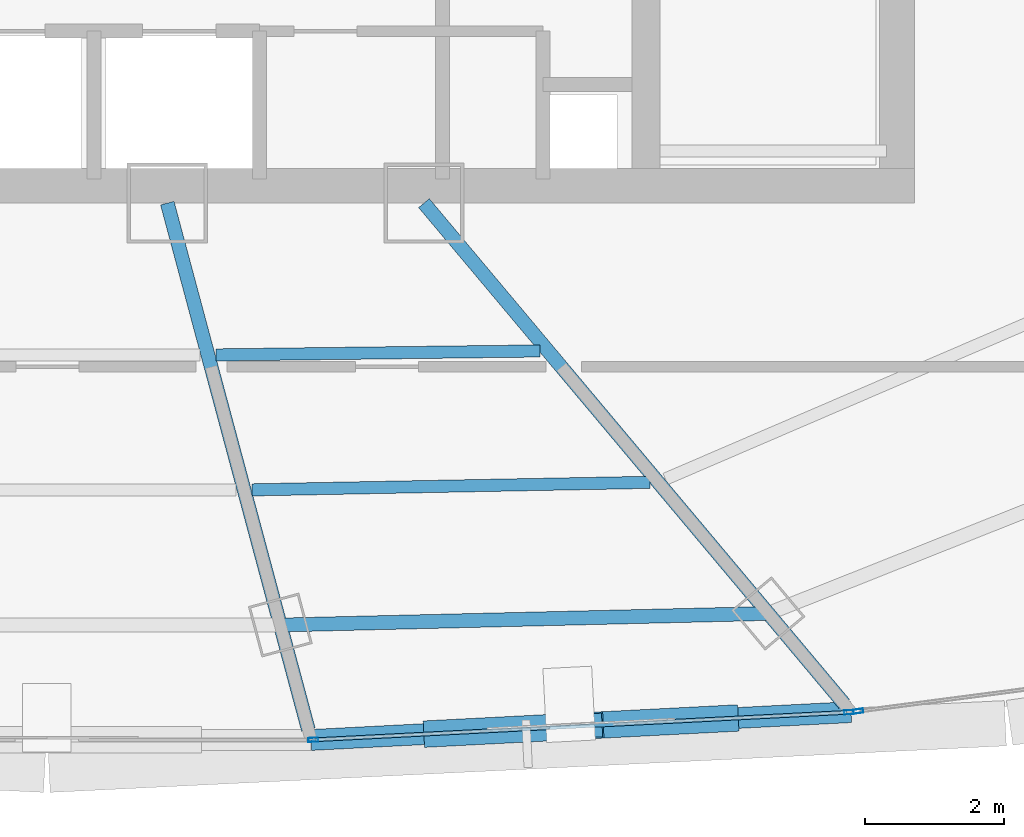
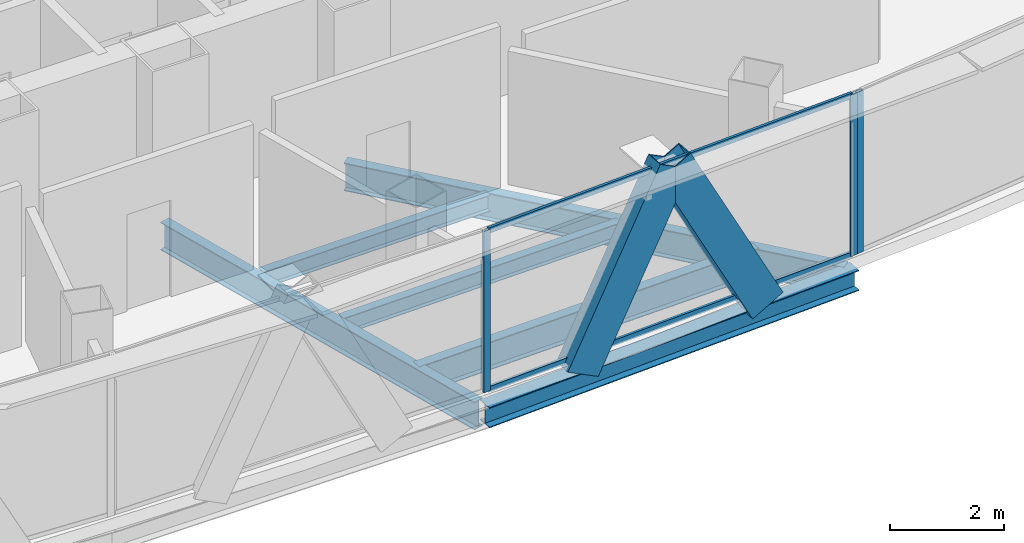
# One storey, part 10 of 33: 7 members, 6 beams, 2 elements without a shape of their own.
"""IFC4 building model written with IfcOpenShell, lengths in metres."""

from ifc_helpers import new_model, si_unit, direction, frame, origin, origin_2d, place, context, subcontext, project, spatial, hollow_rectangle, i_section, extrude, source, transform, mapped, material, layer, layer_set, material_profile, profile_set, type_object, element, aggregate, save


model = new_model("IFC4")

# Units and contexts
model_context = context("Model", 3, precision=1e-05, world=origin(), true_north=direction((0.0, 1.0)))
body_context = subcontext(model_context, "Body", "Model", "MODEL_VIEW")
ifc_project = project(units=[si_unit("LENGTHUNIT", "METRE"), si_unit("AREAUNIT", "SQUARE_METRE"), si_unit("VOLUMEUNIT", "CUBIC_METRE"), si_unit("PLANEANGLEUNIT", "RADIAN"), si_unit("MASSUNIT", "GRAM", prefix="KILO"), si_unit("THERMODYNAMICTEMPERATUREUNIT", "KELVIN"), si_unit("POWERUNIT", "WATT")], contexts=[model_context])

# Site, building, storey
site_placement = place(None, origin())
site = spatial("IfcSite", under=ifc_project, at=site_placement, CompositionType="ELEMENT")
building_placement = place(site_placement, origin())
building = spatial("IfcBuilding", under=site, at=building_placement, Name="Yunzhuo Pagoda Commons", CompositionType="ELEMENT")
storey_placement = place(building_placement, frame((0.0, 0.0, 307.39990234375)))
storey = spatial("IfcBuildingStorey", under=building, at=storey_placement, Name="L77", CompositionType="ELEMENT", Elevation=307.39990234375)

# Beams
ifc_material_1 = material(Name="Structural steel Q355B", Category="steel")
ifc_material_profile_1 = material_profile(ifc_material_1, i_section(OverallWidth=0.175048828125, OverallDepth=0.35009765625, WebThickness=0.007080078125, FlangeThickness=0.010986328125, at=origin_2d()), Name="Structural steel Q355B")
ifc_profile_set_1 = profile_set([ifc_material_profile_1], Name="Structural steel Q355B")
beam_type_1 = type_object("IfcBeamType", Name="B-JS2 Joist HN 350x175x7x11", PredefinedType="JOIST", material=ifc_profile_set_1)
shared_shape_1 = source(origin(), body_context, "Body", "SweptSolid", [
    extrude(i_section(OverallWidth=0.175048828125, OverallDepth=0.35009765625, WebThickness=0.007080078125, FlangeThickness=0.010986328125, at=origin_2d()), origin(), (0.0, 0.0, 1.0), 4.64892578125),
])
beam_1_placement = place(storey_placement, frame((50.42724609375, 25.07177734375, -0.434814453125), z_axis=(0.999924495467, 0.012288342626, 0.0), x_axis=(-0.012288342626, 0.999924495467, 0.0)))
element("IfcBeam", 1, at=beam_1_placement, inside=storey, type_object=beam_type_1, Name="L77 composite ring joist 1.3", PredefinedType="JOIST", context=body_context, shape_type="MappedRepresentation", body=[
    mapped(shared_shape_1, transform((0.0, 0.0, 0.0), scale=1.0)),
])
shared_shape_2 = source(origin(), body_context, "Body", "SweptSolid", [
    extrude(i_section(OverallWidth=0.175048828125, OverallDepth=0.35009765625, WebThickness=0.007080078125, FlangeThickness=0.010986328125, at=origin_2d()), origin(), (0.0, 0.0, 1.0), 5.711669921875),
])
beam_2_placement = place(storey_placement, frame((50.9462890625, 23.135009765625, -0.434814453125), z_axis=(0.999819084998, 0.019020969297, 0.0), x_axis=(-0.019020969297, 0.999819084998, 0.0)))
element("IfcBeam", 2, at=beam_2_placement, inside=storey, type_object=beam_type_1, Name="L77 composite ring joist 2.3", PredefinedType="JOIST", context=body_context, shape_type="MappedRepresentation", body=[
    mapped(shared_shape_2, transform((0.0, 0.0, 0.0), scale=1.0)),
])
ifc_material_profile_2 = material_profile(ifc_material_1, i_section(OverallWidth=0.199951171875, OverallDepth=0.60009765625, WebThickness=0.010986328125, FlangeThickness=0.01708984375, at=origin_2d()), Name="Structural steel Q355B")
ifc_profile_set_2 = profile_set([ifc_material_profile_2], Name="Structural steel Q355B")
beam_type_2 = type_object("IfcBeamType", Name="B-RG3 Beam HN 600x200x11x17", PredefinedType="BEAM", material=ifc_profile_set_2)
shared_shape_3 = source(origin(), body_context, "Body", "SweptSolid", [
    extrude(i_section(OverallWidth=0.199951171875, OverallDepth=0.60009765625, WebThickness=0.010986328125, FlangeThickness=0.01708984375, at=origin_2d()), origin(), (0.0, 0.0, 1.0), 7.0048828125),
])
beam_3_placement = place(storey_placement, frame((51.3505859375, 21.195556640625, -0.559814453125), z_axis=(0.99971911704, 0.023699937233, 0.0), x_axis=(-0.023699937233, 0.99971911704, 0.0)))
element("IfcBeam", 3, at=beam_3_placement, inside=storey, type_object=beam_type_2, Name="L77 column-ring beam 3", PredefinedType="BEAM", context=body_context, shape_type="MappedRepresentation", body=[
    mapped(shared_shape_3, transform((0.0, 0.0, 0.0), scale=1.0)),
])
shared_shape_4 = source(origin(), body_context, "Body", "SweptSolid", [
    extrude(i_section(OverallWidth=0.199951171875, OverallDepth=0.60009765625, WebThickness=0.010986328125, FlangeThickness=0.01708984375, at=origin_2d()), origin(), (0.0, 0.0, 1.0), 7.820556640625),
])
beam_4_placement = place(storey_placement, frame((51.75244140625, 19.69580078125, -0.559814453125), z_axis=(-0.258793299875, 0.965932724334, 0.0), x_axis=(-0.965932724334, -0.258793299875, 0.0)))
element("IfcBeam", 4, at=beam_4_placement, inside=storey, type_object=beam_type_2, Name="L77 radial floor girder F1C3", PredefinedType="BEAM", context=body_context, shape_type="MappedRepresentation", body=[
    mapped(shared_shape_4, transform((0.0, 0.0, 0.0), scale=1.0)),
])
shared_shape_5 = source(origin(), body_context, "Body", "SweptSolid", [
    extrude(i_section(OverallWidth=0.199951171875, OverallDepth=0.60009765625, WebThickness=0.010986328125, FlangeThickness=0.01708984375, at=origin_2d()), origin(), (0.0, 0.0, 1.0), 9.380615234375),
])
beam_5_placement = place(storey_placement, frame((59.442138671875, 20.064208984375, -0.559814453125), z_axis=(-0.642814803085, 0.766021624325, 0.0), x_axis=(-0.766021624325, -0.642814803085, 0.0)))
element("IfcBeam", 5, at=beam_5_placement, inside=storey, type_object=beam_type_2, Name="L77 radial floor girder F1C4", PredefinedType="BEAM", context=body_context, shape_type="MappedRepresentation", body=[
    mapped(shared_shape_5, transform((0.0, 0.0, 0.0), scale=1.0)),
])
ifc_material_profile_3 = material_profile(ifc_material_1, i_section(OverallWidth=0.300048828125, OverallDepth=0.43994140625, WebThickness=0.010986328125, FlangeThickness=0.01806640625, at=origin_2d()), Name="Structural steel Q355B")
ifc_profile_set_3 = profile_set([ifc_material_profile_3], Name="Structural steel Q355B")
beam_type_3 = type_object("IfcBeamType", Name="B-SP2 Beam HM 440x300x11x18", PredefinedType="BEAM", material=ifc_profile_set_3)
shared_shape_6 = source(origin(), body_context, "Body", "SweptSolid", [
    extrude(i_section(OverallWidth=0.300048828125, OverallDepth=0.43994140625, WebThickness=0.010986328125, FlangeThickness=0.01806640625, at=origin_2d()), origin(), (0.0, 0.0, 1.0), 7.759033203125),
])
beam_6_placement = place(storey_placement, frame((51.792724609375, 19.5458984375, -0.47998046875), z_axis=(0.998672558279, 0.051508458928, 0.0), x_axis=(-0.051508458928, 0.998672558279, 0.0)))
element("IfcBeam", 6, at=beam_6_placement, inside=storey, type_object=beam_type_3, Name="L77 facade edge spandrel beam F1.3", PredefinedType="BEAM", context=body_context, shape_type="MappedRepresentation", body=[
    mapped(shared_shape_6, transform((0.0, 0.0, 0.0), scale=1.0)),
])

# Members
ifc_material_profile_4 = material_profile(ifc_material_1, hollow_rectangle(XDim=0.3798828125, YDim=0.719970703125, WallThickness=0.02001953125, at=origin_2d()), Name="Structural steel Q355B")
ifc_profile_set_4 = profile_set([ifc_material_profile_4], Name="Structural steel Q355B")
member_type_1 = type_object("IfcMemberType", Name="M-DL3 Brace BOX 720x380x20", PredefinedType="BRACE", material=ifc_profile_set_4)
shared_shape_7 = source(origin(), body_context, "Body", "SweptSolid", [
    extrude(hollow_rectangle(XDim=0.3798828125, YDim=0.719970703125, WallThickness=0.02001953125, at=origin_2d()), origin(), (0.0, 0.0, 1.0), 4.204345703125),
])
member_1_placement = place(storey_placement, frame((57.604248046875, 19.845458984375, -0.260009765625), z_axis=(-0.460762447972, -0.023691377287, 0.887207239139), x_axis=(0.051349935036, -0.998680721838, 0.0)))
element("IfcMember", 7, at=member_1_placement, inside=storey, type_object=member_type_1, Name="L77 facade diamond brace F1.3R", PredefinedType="BRACE", context=body_context, shape_type="MappedRepresentation", body=[
    mapped(shared_shape_7, transform((0.0, 0.0, 0.0), scale=1.0)),
])
shared_shape_8 = source(origin(), body_context, "Body", "SweptSolid", [
    extrude(hollow_rectangle(XDim=0.3798828125, YDim=0.719970703125, WallThickness=0.02001953125, at=origin_2d()), origin(), (0.0, 0.0, 1.0), 4.20458984375),
])
member_2_placement = place(storey_placement, frame((53.729736328125, 19.645751953125, -0.260009765625), z_axis=(0.460761177138, 0.023807445826, 0.887204792123), x_axis=(-0.051600981801, 0.998667781936, 0.0)))
element("IfcMember", 8, at=member_2_placement, inside=storey, type_object=member_type_1, Name="L77 facade diamond brace F1.3L", PredefinedType="BRACE", context=body_context, shape_type="MappedRepresentation", body=[
    mapped(shared_shape_8, transform((0.0, 0.0, 0.0), scale=1.0)),
])

# Curtain wall, members
ifc_material_2 = material(Name="Anodized aluminium 6063-T6", Category="aluminium")
ifc_layer = layer(ifc_material_2, 0.139892578125)
ifc_layer_set = layer_set([ifc_layer], Name="Anodized aluminium 6063-T6")
curtain_wall_type = type_object("IfcCurtainWallType", Name="CW-HI High-Zone Ribbon Curtain Wall", PredefinedType="NOTDEFINED", material=ifc_layer_set)
curtain_wall_1_placement = place(storey_placement, origin())
curtain_wall_1 = element("IfcCurtainWall", 9, at=curtain_wall_1_placement, inside=storey, type_object=curtain_wall_type, Name="L77 curtain wall CW-L77-F1B4", PredefinedType="NOTDEFINED")
ifc_material_profile_5 = material_profile(ifc_material_2, hollow_rectangle(XDim=0.06005859375, YDim=0.139892578125, WallThickness=0.00341796875, at=origin_2d()), Name="Anodized aluminium 6063-T6")
ifc_profile_set_5 = profile_set([ifc_material_profile_5], Name="Anodized aluminium 6063-T6")
member_type_2 = type_object("IfcMemberType", Name="CW-HI-M Mullion RHS 140x60x3.5", PredefinedType="MULLION", material=ifc_profile_set_5)
shared_shape_9 = source(origin(), body_context, "Body", "SweptSolid", [
    extrude(hollow_rectangle(XDim=0.06005859375, YDim=0.139892578125, WallThickness=0.00341796875, at=origin_2d()), origin(), (0.0, 0.0, 1.0), 3.47021484375),
])
member_3_placement = place(storey_placement, frame((51.822509765625, 19.547607421875, 0.0), z_axis=(0.0, 0.0, 1.0), x_axis=(-0.051461616076, 0.998674973187, 0.0)))
member_3 = element("IfcMember", 10, at=member_3_placement, type_object=member_type_2, Name="CW mullion 1", PredefinedType="MULLION", context=body_context, shape_type="MappedRepresentation", body=[
    mapped(shared_shape_9, transform((0.0, 0.0, 0.0), scale=1.0)),
])
member_4_placement = place(storey_placement, frame((59.511474609375, 19.94384765625, 0.0), z_axis=(0.0, 0.0, 1.0), x_axis=(-0.051461616076, 0.998674973187, 0.0)))
member_4 = element("IfcMember", 11, at=member_4_placement, type_object=member_type_2, Name="CW mullion 2", PredefinedType="MULLION", context=body_context, shape_type="MappedRepresentation", body=[
    mapped(shared_shape_9, transform((0.0, 0.0, 0.0), scale=1.0)),
])

# Curtain wall, member
curtain_wall_2_placement = place(storey_placement, origin())
curtain_wall_2 = element("IfcCurtainWall", 12, at=curtain_wall_2_placement, inside=storey, type_object=curtain_wall_type, Name="L77 curtain wall CW-L77-F1B5", PredefinedType="NOTDEFINED")
member_5_placement = place(storey_placement, frame((59.645751953125, 19.958984375, 0.0), z_axis=(0.0, 0.0, 1.0), x_axis=(-0.129855071238, 0.991532985066, 0.0)))
member_5 = element("IfcMember", 13, at=member_5_placement, type_object=member_type_2, Name="CW mullion 1", PredefinedType="MULLION", context=body_context, shape_type="MappedRepresentation", body=[
    mapped(shared_shape_9, transform((0.0, 0.0, 0.0), scale=1.0)),
])
aggregate(curtain_wall_2, [member_5])

# Member
ifc_material_profile_6 = material_profile(ifc_material_2, hollow_rectangle(XDim=0.054931640625, YDim=0.1201171875, WallThickness=0.00341796875, at=origin_2d()), Name="Anodized aluminium 6063-T6")
ifc_profile_set_6 = profile_set([ifc_material_profile_6], Name="Anodized aluminium 6063-T6")
member_type_3 = type_object("IfcMemberType", Name="CW-HI-T Transom RHS 120x55x3.5", PredefinedType="USERDEFINED", material=ifc_profile_set_6)
shared_shape_10 = source(origin(), body_context, "Body", "SweptSolid", [
    extrude(hollow_rectangle(XDim=0.054931640625, YDim=0.1201171875, WallThickness=0.00341796875, at=origin_2d()), origin(), (0.0, 0.0, 1.0), 7.639404296875),
])
member_6_placement = place(storey_placement, frame((51.8525390625, 19.549072265625, 0.027587890625), z_axis=(0.998675480981, 0.05145176078, 0.0), x_axis=(-0.05145176078, 0.998675480981, 0.0)))
member_6 = element("IfcMember", 14, at=member_6_placement, type_object=member_type_3, Name="CW transom 1.1", ObjectType="TRANSOM", PredefinedType="USERDEFINED", context=body_context, shape_type="MappedRepresentation", body=[
    mapped(shared_shape_10, transform((0.0, 0.0, 0.0), scale=1.0)),
])

member_7_placement = place(storey_placement, frame((51.8525390625, 19.549072265625, 3.442626953125), z_axis=(0.998675480981, 0.05145176078, 0.0), x_axis=(-0.05145176078, 0.998675480981, 0.0)))
member_7 = element("IfcMember", 15, at=member_7_placement, type_object=member_type_3, Name="CW transom 1.2", ObjectType="TRANSOM", PredefinedType="USERDEFINED", context=body_context, shape_type="MappedRepresentation", body=[
    mapped(shared_shape_10, transform((0.0, 0.0, 0.0), scale=1.0)),
])

aggregate(curtain_wall_1, [member_3, member_4, member_6, member_7])

save(model, "model.ifc")
